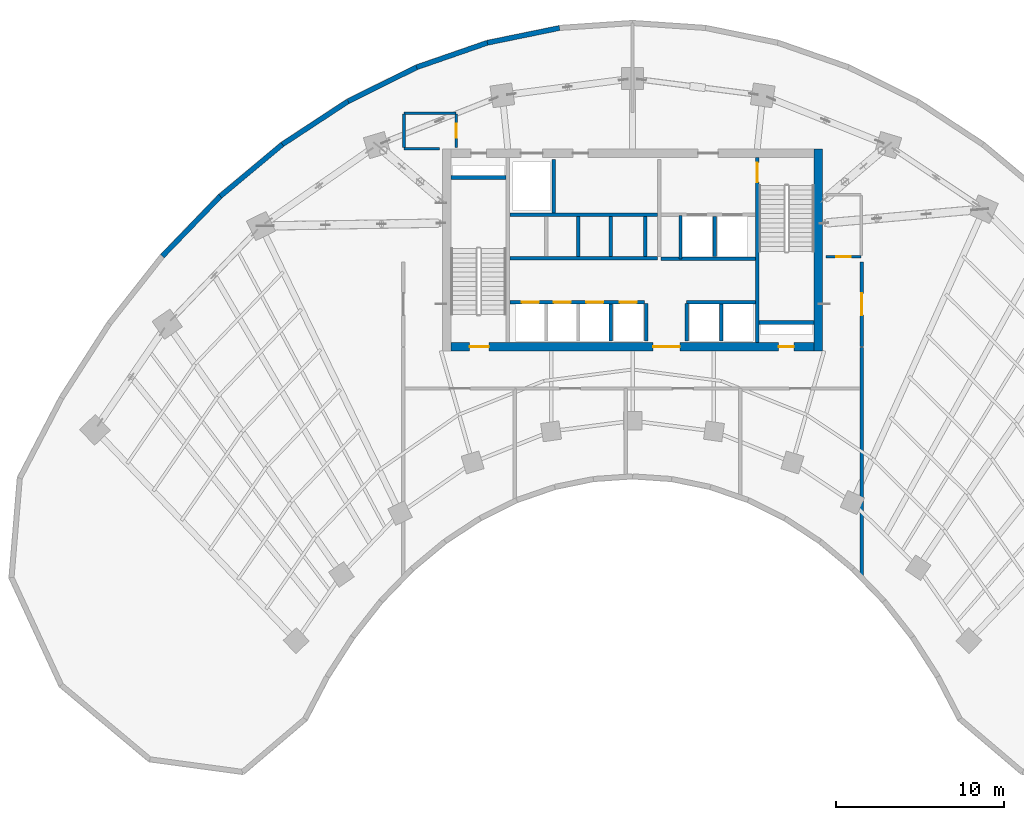
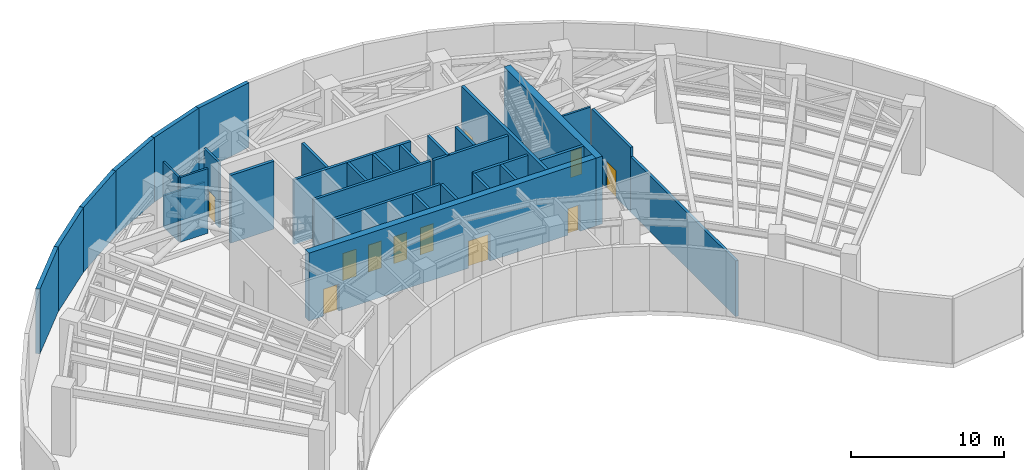
# One storey, part 8 of 10: 33 walls, 11 doors, 11 openings.
"""IFC4 building model written with IfcOpenShell, lengths in metres."""

from ifc_helpers import new_model, si_unit, direction, frame, frame_2d, origin, place, context, subcontext, project, spatial, rectangle, extrude, source, transform, mapped, material, layer, layer_set, type_object, type_shapes, element, fill, save


model = new_model("IFC4")

# Units and contexts
model_context = context("Model", 3, precision=1e-05, world=origin(), true_north=direction((0.0, 1.0)))
body_context = subcontext(model_context, "Body", "Model", "MODEL_VIEW")
ifc_project = project(units=[si_unit("LENGTHUNIT", "METRE"), si_unit("AREAUNIT", "SQUARE_METRE"), si_unit("VOLUMEUNIT", "CUBIC_METRE"), si_unit("PLANEANGLEUNIT", "RADIAN"), si_unit("MASSUNIT", "GRAM", prefix="KILO")], contexts=[model_context])

# Site, building, storey
site_placement = place(None, origin())
site = spatial("IfcSite", under=ifc_project, at=site_placement, CompositionType="ELEMENT")
building_placement = place(site_placement, origin())
building = spatial("IfcBuilding", under=site, at=building_placement, Name="Breltana Convention Tower", CompositionType="ELEMENT")
storey_placement = place(building_placement, frame((0.0, 0.0, 85.800048828125)))
storey = spatial("IfcBuildingStorey", under=building, at=storey_placement, Name="L20", CompositionType="ELEMENT", Elevation=85.800048828125)

# Walls
ifc_material_1 = material(Name="Concrete C50/60", Category="concrete")
ifc_layer_1 = layer(ifc_material_1, 0.39990234375, Name="Concrete C50/60")
ifc_layer_set_1 = layer_set([ifc_layer_1], Name="Concrete C50/60")
wall_type_1 = type_object("IfcWallType", Name="SW-CORE-400", PredefinedType="SHEAR", material=ifc_layer_set_1)
shared_shape_1 = source(origin(), body_context, "Body", "SweptSolid", [
    extrude(rectangle(XDim=3.27001953125, YDim=0.219970703125, at=frame_2d((1.635009765625, 0.0))), origin(), (0.0, 0.0, 1.0), 5.39990234375),
])
for number, where, z_axis, x_axis, name in (
    (1, (37.199951171875, 70.510009765625, 0.0), (0.0, 0.0, 1.0), (1.0, 0.0, 0.0), "L20 ST-1 Stairwell North Bearing Wall"),
    (2, (55.530029296875, 61.889892578125, 0.0), (0.0, 0.0, 1.0), (1.0, 0.0, 0.0), "L20 ST-2 Stairwell South Bearing Wall"),
):
    element("IfcWall", number, at=place(storey_placement, frame(where, z_axis=z_axis, x_axis=x_axis)), inside=storey, type_object=wall_type_1, Name=name, PredefinedType="SHEAR", context=body_context, shape_type="MappedRepresentation", body=[
        mapped(shared_shape_1, transform((0.0, 0.0, 0.0), scale=1.0)),
    ])
ifc_material_2 = material(Name="Concrete C60/75", Category="concrete")
ifc_layer_2 = layer(ifc_material_2, 0.5, Name="Concrete C60/75")
ifc_layer_set_2 = layer_set([ifc_layer_2], Name="Concrete C60/75")
wall_type_2 = type_object("IfcWallType", Name="SW-CORE-500", PredefinedType="SHEAR", material=ifc_layer_set_2)
shared_shape_2 = source(origin(), body_context, "Body", "SweptSolid", [
    extrude(rectangle(XDim=12.0, YDim=0.5, at=frame_2d((6.0, 0.0))), origin(), (0.0, 0.0, 1.0), 5.39990234375),
])
type_shapes(wall_type_2, [shared_shape_2])
wall_1_placement = place(storey_placement, frame((59.050048828125, 60.199951171875, 0.0), z_axis=(0.0, 0.0, 1.0), x_axis=(0.0, 1.0, 0.0)))
element("IfcWall", 3, at=wall_1_placement, inside=storey, type_object=wall_type_2, Name="L20 East Core Shear Wall", PredefinedType="SHEAR", context=body_context, shape_type="MappedRepresentation", body=[
    mapped(shared_shape_2, transform((0.0, 0.0, 0.0), scale=1.0)),
])

# Wall, openings, doors
shared_shape_3 = source(origin(), body_context, "Body", "SweptSolid", [
    extrude(rectangle(XDim=21.60009765625, YDim=0.5, at=frame_2d((10.800048828125, 0.0))), origin(), (0.0, 0.0, 1.0), 5.39990234375),
])
wall_2_placement = place(storey_placement, frame((37.199951171875, 60.449951171875, 0.0), z_axis=(0.0, 0.0, 1.0), x_axis=(1.0, 0.0, 0.0)))
wall_2 = element("IfcWall", 4, at=wall_2_placement, inside=storey, type_object=wall_type_2, Name="L20 South Core Shear Wall", PredefinedType="SHEAR", context=body_context, shape_type="MappedRepresentation", body=[
    mapped(shared_shape_3, transform((0.0, 0.0, 0.0), scale=1.0)),
])
opening_1_placement = place(wall_2_placement, frame((1.10009765625, 0.0, 0.0)))
opening_1 = element("IfcOpeningElement", 5, at=opening_1_placement, cuts=wall_2, Name="Opening D-11", PredefinedType="OPENING", context=body_context, shape_type="SweptSolid", body=[
    extrude(rectangle(XDim=1.14990234375, YDim=2.14990234375, at=frame_2d((0.574951171875, 1.074951171875))), frame((0.0, 0.260009765625, 0.0), z_axis=(0.0, -1.0, 0.0), x_axis=(1.0, 0.0, 0.0)), (0.0, 0.0, 1.0), 0.52001953125),
])
opening_2_placement = place(wall_2_placement, frame((19.5, 0.0, 0.0)))
opening_2 = element("IfcOpeningElement", 6, at=opening_2_placement, cuts=wall_2, Name="Opening D-18", PredefinedType="OPENING", context=body_context, shape_type="SweptSolid", body=[
    extrude(rectangle(XDim=0.89990234375, YDim=2.10009765625, at=frame_2d((0.449951171875, 1.050048828125))), frame((0.0, 0.260009765625, 0.0), z_axis=(0.0, -1.0, 0.0), x_axis=(1.0, 0.0, 0.0)), (0.0, 0.0, 1.0), 0.52001953125),
])
opening_3_placement = place(wall_2_placement, frame((12.02001953125, 0.0, 0.0)))
opening_3 = element("IfcOpeningElement", 7, at=opening_3_placement, cuts=wall_2, Name="Opening D-02", PredefinedType="OPENING", context=body_context, shape_type="SweptSolid", body=[
    extrude(rectangle(XDim=1.60009765625, YDim=2.14990234375, at=frame_2d((0.800048828125, 1.074951171875))), frame((0.0, 0.260009765625, 0.0), z_axis=(0.0, -1.0, 0.0), x_axis=(1.0, 0.0, 0.0)), (0.0, 0.0, 1.0), 0.52001953125),
])
ifc_material_3 = material(Name="Steel Stair Exit Door", Category="steel")
door_type_1 = type_object("IfcDoorType", Name="DR-FD120-1150", OperationType="NOTDEFINED", PredefinedType="DOOR", material=ifc_material_3)
shared_shape_4 = source(origin(), body_context, "Body", "SweptSolid", [
    extrude(rectangle(XDim=1.14990234375, YDim=2.14990234375, at=frame_2d((0.574951171875, 1.074951171875))), frame((0.0, 0.02490234375, 0.0), z_axis=(0.0, -1.0, 0.0), x_axis=(1.0, 0.0, 0.0)), (0.0, 0.0, 1.0), 0.050048828125),
])
type_shapes(door_type_1, [shared_shape_4])
door_1_placement = place(opening_1_placement, origin())
door_1 = element("IfcDoor", 8, at=door_1_placement, inside=storey, type_object=door_type_1, Name="L20 interior door D-L20-ST1", OperationType="SINGLE_SWING_LEFT", OverallHeight=2.14990234375, OverallWidth=1.14990234375, PredefinedType="DOOR", context=body_context, shape_type="MappedRepresentation", body=[
    mapped(shared_shape_4, transform((0.0, 0.0, 0.0), scale=1.0)),
])
fill(opening_1, door_1)
ifc_material_4 = material(Name="Steel Riser Fire Door", Category="steel")
door_type_2 = type_object("IfcDoorType", Name="DR-FD60-900", OperationType="NOTDEFINED", PredefinedType="DOOR", material=ifc_material_4)
shared_shape_5 = source(origin(), body_context, "Body", "SweptSolid", [
    extrude(rectangle(XDim=0.89990234375, YDim=2.10009765625, at=frame_2d((0.449951171875, 1.050048828125))), frame((0.0, 0.02490234375, 0.0), z_axis=(0.0, -1.0, 0.0), x_axis=(1.0, 0.0, 0.0)), (0.0, 0.0, 1.0), 0.050048828125),
])
type_shapes(door_type_2, [shared_shape_5])
door_2_placement = place(opening_2_placement, origin())
door_2 = element("IfcDoor", 9, at=door_2_placement, inside=storey, type_object=door_type_2, Name="L20 Core Riser Access Door D-L20-RS2", OperationType="SINGLE_SWING_RIGHT", OverallHeight=2.10009765625, OverallWidth=0.89990234375, PredefinedType="DOOR", context=body_context, shape_type="MappedRepresentation", body=[
    mapped(shared_shape_5, transform((0.0, 0.0, 0.0), scale=1.0)),
])
fill(opening_2, door_2)
ifc_material_5 = material(Name="Steel Glazed Smoke-Control Door", Category="steel")
door_type_3 = type_object("IfcDoorType", Name="DR-DBL-FD90-1600", OperationType="DOUBLE_DOOR_SINGLE_SWING", PredefinedType="DOOR", material=ifc_material_5)
shared_shape_6 = source(origin(), body_context, "Body", "SweptSolid", [
    extrude(rectangle(XDim=1.60009765625, YDim=2.14990234375, at=frame_2d((0.800048828125, 1.074951171875))), frame((0.0, 0.02490234375, 0.0), z_axis=(0.0, -1.0, 0.0), x_axis=(1.0, 0.0, 0.0)), (0.0, 0.0, 1.0), 0.050048828125),
])
type_shapes(door_type_3, [shared_shape_6])
door_3_placement = place(opening_3_placement, origin())
door_3 = element("IfcDoor", 10, at=door_3_placement, inside=storey, type_object=door_type_3, Name="L20 interior door D-L20-LLB-S", OperationType="DOUBLE_DOOR_SINGLE_SWING", OverallHeight=2.14990234375, OverallWidth=1.60009765625, PredefinedType="DOOR", context=body_context, shape_type="MappedRepresentation", body=[
    mapped(shared_shape_6, transform((0.0, 0.0, 0.0), scale=1.0)),
])
fill(opening_3, door_3)

# Wall, opening, door
shared_shape_7 = source(origin(), body_context, "Body", "SweptSolid", [
    extrude(rectangle(XDim=11.0, YDim=0.219970703125, at=frame_2d((5.5, 0.0))), origin(), (0.0, 0.0, 1.0), 5.39990234375),
])
wall_3_placement = place(storey_placement, frame((55.419921875, 60.699951171875, 0.0), z_axis=(0.0, 0.0, 1.0), x_axis=(0.0, 1.0, 0.0)))
wall_3 = element("IfcWall", 11, at=wall_3_placement, inside=storey, type_object=wall_type_1, Name="L20 Core East Stair Spine Wall", PredefinedType="SHEAR", context=body_context, shape_type="MappedRepresentation", body=[
    mapped(shared_shape_7, transform((0.0, 0.0, 0.0), scale=1.0)),
])
opening_4_placement = place(wall_3_placement, frame((9.544921875, 0.0, 0.0)))
opening_4 = element("IfcOpeningElement", 12, at=opening_4_placement, cuts=wall_3, Name="Opening D-11", PredefinedType="OPENING", context=body_context, shape_type="SweptSolid", body=[
    extrude(rectangle(XDim=1.14990234375, YDim=2.14990234375, at=frame_2d((0.574951171875, 1.074951171875))), frame((0.0, 0.1201171875, 0.0), z_axis=(0.0, -1.0, 0.0), x_axis=(1.0, 0.0, 0.0)), (0.0, 0.0, 1.0), 0.239990234375),
])
door_4_placement = place(opening_4_placement, origin())
door_4 = element("IfcDoor", 13, at=door_4_placement, inside=storey, type_object=door_type_1, Name="L20 interior door D-L20-ST2", OperationType="SINGLE_SWING_LEFT", OverallHeight=2.14990234375, OverallWidth=1.14990234375, PredefinedType="DOOR", context=body_context, shape_type="MappedRepresentation", body=[
    mapped(shared_shape_4, transform((0.0, 0.0, 0.0), scale=1.0)),
])
fill(opening_4, door_4)

# Walls
ifc_material_6 = material(Name="Limestone Buff Insulated Wall", Category="masonry")
ifc_layer_3 = layer(ifc_material_6, 0.300048828125, Name="Limestone Buff Insulated Wall")
ifc_layer_set_3 = layer_set([ifc_layer_3], Name="Limestone Buff Insulated Wall")
wall_type_3 = type_object("IfcWallType", Name="WL-EXT-CRN-300", PredefinedType="SOLIDWALL", material=ifc_layer_set_3)
shared_shape_8 = source(origin(), body_context, "Body", "SweptSolid", [
    extrude(rectangle(XDim=4.96044921875, YDim=0.300048828125, at=frame_2d((2.480224609375, 0.0))), origin(), (0.0, 0.0, 1.0), 5.14990234375),
])
wall_4_placement = place(storey_placement, frame((20.0224609375, 65.834228515625, 0.0), z_axis=(0.0, 0.0, 1.0), x_axis=(0.694619985705, 0.719376866086, 0.0)))
element("IfcWall", 14, at=wall_4_placement, inside=storey, type_object=wall_type_3, Name="L20 mechanical limestone enclosure wall 53", PredefinedType="SOLIDWALL", context=body_context, shape_type="MappedRepresentation", body=[
    mapped(shared_shape_8, transform((0.0, 0.0, 0.0), scale=1.0)),
])
shared_shape_9 = source(origin(), body_context, "Body", "SweptSolid", [
    extrude(rectangle(XDim=4.8125, YDim=0.300048828125, at=frame_2d((2.40625, 0.0))), origin(), (0.0, 0.0, 1.0), 5.14990234375),
])
wall_5_placement = place(storey_placement, frame((23.468017578125, 69.402587890625, 0.0), z_axis=(0.0, 0.0, 1.0), x_axis=(0.767925955959, 0.640538621915, 0.0)))
element("IfcWall", 15, at=wall_5_placement, inside=storey, type_object=wall_type_3, Name="L20 mechanical limestone enclosure wall 54", PredefinedType="SOLIDWALL", context=body_context, shape_type="MappedRepresentation", body=[
    mapped(shared_shape_9, transform((0.0, 0.0, 0.0), scale=1.0)),
])
shared_shape_10 = source(origin(), body_context, "Body", "SweptSolid", [
    extrude(rectangle(XDim=4.674560546875, YDim=0.300048828125, at=frame_2d((2.33740234375, 0.0))), origin(), (0.0, 0.0, 1.0), 5.14990234375),
])
wall_6_placement = place(storey_placement, frame((27.16357421875, 72.485107421875, 0.0), z_axis=(0.0, 0.0, 1.0), x_axis=(0.835950573043, 0.548804737069, 0.0)))
element("IfcWall", 16, at=wall_6_placement, inside=storey, type_object=wall_type_3, Name="L20 mechanical limestone enclosure wall 55", PredefinedType="SOLIDWALL", context=body_context, shape_type="MappedRepresentation", body=[
    mapped(shared_shape_10, transform((0.0, 0.0, 0.0), scale=1.0)),
])
shared_shape_11 = source(origin(), body_context, "Body", "SweptSolid", [
    extrude(rectangle(XDim=4.553466796875, YDim=0.300048828125, at=frame_2d((2.27685546875, 0.0))), origin(), (0.0, 0.0, 1.0), 5.14990234375),
])
wall_7_placement = place(storey_placement, frame((31.0712890625, 75.050537109375, 0.0), z_axis=(0.0, 0.0, 1.0), x_axis=(0.895976648497, 0.444101165669, 0.0)))
element("IfcWall", 17, at=wall_7_placement, inside=storey, type_object=wall_type_3, Name="L20 mechanical limestone enclosure wall 56", PredefinedType="SOLIDWALL", context=body_context, shape_type="MappedRepresentation", body=[
    mapped(shared_shape_11, transform((0.0, 0.0, 0.0), scale=1.0)),
])
shared_shape_12 = source(origin(), body_context, "Body", "SweptSolid", [
    extrude(rectangle(XDim=4.45556640625, YDim=0.300048828125, at=frame_2d((2.227783203125, 0.0))), origin(), (0.0, 0.0, 1.0), 5.14990234375),
])
wall_8_placement = place(storey_placement, frame((35.151123046875, 77.07275390625, 0.0), z_axis=(0.0, 0.0, 1.0), x_axis=(0.944868751989, 0.327449296097, 0.0)))
element("IfcWall", 18, at=wall_8_placement, inside=storey, type_object=wall_type_3, Name="L20 mechanical limestone enclosure wall 57", PredefinedType="SOLIDWALL", context=body_context, shape_type="MappedRepresentation", body=[
    mapped(shared_shape_12, transform((0.0, 0.0, 0.0), scale=1.0)),
])
shared_shape_13 = source(origin(), body_context, "Body", "SweptSolid", [
    extrude(rectangle(XDim=4.386962890625, YDim=0.300048828125, at=frame_2d((2.193359375, 0.0))), origin(), (0.0, 0.0, 1.0), 5.14990234375),
])
wall_9_placement = place(storey_placement, frame((39.361083984375, 78.53173828125, 0.0), z_axis=(0.0, 0.0, 1.0), x_axis=(0.979623200361, 0.200844181679, 0.0)))
element("IfcWall", 19, at=wall_9_placement, inside=storey, type_object=wall_type_3, Name="L20 mechanical limestone enclosure wall 58", PredefinedType="SOLIDWALL", context=body_context, shape_type="MappedRepresentation", body=[
    mapped(shared_shape_13, transform((0.0, 0.0, 0.0), scale=1.0)),
])
ifc_material_7 = material(Name="Autoclaved Aerated Concrete Block", Category="concrete")
ifc_layer_4 = layer(ifc_material_7, 0.199951171875, Name="Autoclaved Aerated Concrete Block")
ifc_layer_set_4 = layer_set([ifc_layer_4], Name="Autoclaved Aerated Concrete Block")
wall_type_4 = type_object("IfcWallType", Name="WL-SHAFT-200", PredefinedType="SOLIDWALL", material=ifc_layer_set_4)
shared_shape_14 = source(origin(), body_context, "Body", "SweptSolid", [
    extrude(rectangle(XDim=2.239990234375, YDim=0.199951171875, at=frame_2d((1.1201171875, 0.0))), origin(), (0.0, 0.0, 1.0), 5.14990234375),
])
for number, where, z_axis, x_axis, name in (
    (20, (48.820068359375, 60.780029296875, 0.0), (0.0, 0.0, 1.0), (0.0, 1.0, 0.0), "L20 interior partition W-L20-PORT-W"),
    (21, (51.219970703125, 60.780029296875, 0.0), (0.0, 0.0, 1.0), (0.0, 1.0, 0.0), "L20 interior partition W-L20-PORT-E"),
):
    element("IfcWall", number, at=place(storey_placement, frame(where, z_axis=z_axis, x_axis=x_axis)), inside=storey, type_object=wall_type_4, Name=name, PredefinedType="SOLIDWALL", context=body_context, shape_type="MappedRepresentation", body=[
        mapped(shared_shape_14, transform((0.0, 0.0, 0.0), scale=1.0)),
    ])
shared_shape_15 = source(origin(), body_context, "Body", "SweptSolid", [
    extrude(rectangle(XDim=5.6201171875, YDim=0.199951171875, at=frame_2d((2.81005859375, 0.0))), origin(), (0.0, 0.0, 1.0), 5.14990234375),
])
wall_10_placement = place(storey_placement, frame((49.699951171875, 65.679931640625, 0.0), z_axis=(0.0, 0.0, 1.0), x_axis=(1.0, 0.0, 0.0)))
element("IfcWall", 22, at=wall_10_placement, inside=storey, type_object=wall_type_4, Name="L20 interior partition W-L20-FL-S", PredefinedType="SOLIDWALL", context=body_context, shape_type="MappedRepresentation", body=[
    mapped(shared_shape_15, transform((0.0, 0.0, 0.0), scale=1.0)),
])
shared_shape_16 = source(origin(), body_context, "Body", "SweptSolid", [
    extrude(rectangle(XDim=2.580078125, YDim=0.199951171875, at=frame_2d((1.2900390625, 0.0))), origin(), (0.0, 0.0, 1.0), 5.14990234375),
])
wall_11_placement = place(storey_placement, frame((50.85009765625, 65.679931640625, 0.0), z_axis=(0.0, 0.0, 1.0), x_axis=(0.0, 1.0, 0.0)))
element("IfcWall", 23, at=wall_11_placement, inside=storey, type_object=wall_type_4, Name="L20 interior partition W-L20-FL-W", PredefinedType="SOLIDWALL", context=body_context, shape_type="MappedRepresentation", body=[
    mapped(shared_shape_16, transform((0.0, 0.0, 0.0), scale=1.0)),
])
shared_shape_17 = source(origin(), body_context, "Body", "SweptSolid", [
    extrude(rectangle(XDim=2.39990234375, YDim=0.199951171875, at=frame_2d((1.199951171875, 0.0))), origin(), (0.0, 0.0, 1.0), 5.14990234375),
])
for number, where, z_axis, x_axis, name in (
    (24, (52.89990234375, 65.800048828125, 0.0), (0.0, 0.0, 1.0), (0.0, 1.0, 0.0), "L20 interior partition W-L20-FL-DIV"),
    (25, (48.75, 65.800048828125, 0.0), (0.0, 0.0, 1.0), (0.0, 1.0, 0.0), "L20 interior partition W-L20-SH-M-END"),
    (26, (44.77001953125, 65.800048828125, 0.0), (0.0, 0.0, 1.0), (0.0, 1.0, 0.0), "L20 interior partition W-L20-SH-M-DIV2"),
    (27, (46.699951171875, 65.800048828125, 0.0), (0.0, 0.0, 1.0), (0.0, 1.0, 0.0), "L20 interior partition W-L20-SH-M-DIV3"),
):
    element("IfcWall", number, at=place(storey_placement, frame(where, z_axis=z_axis, x_axis=x_axis)), inside=storey, type_object=wall_type_4, Name=name, PredefinedType="SOLIDWALL", context=body_context, shape_type="MappedRepresentation", body=[
        mapped(shared_shape_17, transform((0.0, 0.0, 0.0), scale=1.0)),
    ])
shared_shape_18 = source(origin(), body_context, "Body", "SweptSolid", [
    extrude(rectangle(XDim=3.2001953125, YDim=0.199951171875, at=frame_2d((1.60009765625, 0.0))), origin(), (0.0, 0.0, 1.0), 5.14990234375),
])
wall_12_placement = place(storey_placement, frame((43.320068359375, 68.39990234375, 0.0), z_axis=(0.0, 0.0, 1.0), x_axis=(0.0, 1.0, 0.0)))
element("IfcWall", 28, at=wall_12_placement, inside=storey, type_object=wall_type_4, Name="L20 interior partition W-L20-SV-E", PredefinedType="SOLIDWALL", context=body_context, shape_type="MappedRepresentation", body=[
    mapped(shared_shape_18, transform((0.0, 0.0, 0.0), scale=1.0)),
])
shared_shape_19 = source(origin(), body_context, "Body", "SweptSolid", [
    extrude(rectangle(XDim=8.800048828125, YDim=0.199951171875, at=frame_2d((4.39990234375, 0.0))), origin(), (0.0, 0.0, 1.0), 5.14990234375),
])
for number, where, z_axis, x_axis, name in (
    (29, (40.699951171875, 68.300048828125, 0.0), (0.0, 0.0, 1.0), (1.0, 0.0, 0.0), "L20 interior partition W-L20-SV-S"),
    (30, (40.699951171875, 65.699951171875, 0.0), (0.0, 0.0, 1.0), (1.0, 0.0, 0.0), "L20 interior partition W-L20-SH-M-FRONT"),
):
    element("IfcWall", number, at=place(storey_placement, frame(where, z_axis=z_axis, x_axis=x_axis)), inside=storey, type_object=wall_type_4, Name=name, PredefinedType="SOLIDWALL", context=body_context, shape_type="MappedRepresentation", body=[
        mapped(shared_shape_19, transform((0.0, 0.0, 0.0), scale=1.0)),
    ])

# Wall, openings, doors
shared_shape_20 = source(origin(), body_context, "Body", "SweptSolid", [
    extrude(rectangle(XDim=8.02001953125, YDim=0.199951171875, at=frame_2d((4.010009765625, 0.0))), origin(), (0.0, 0.0, 1.0), 5.14990234375),
])
wall_13_placement = place(storey_placement, frame((40.699951171875, 63.10009765625, 0.0), z_axis=(0.0, 0.0, 1.0), x_axis=(1.0, 0.0, 0.0)))
wall_13 = element("IfcWall", 31, at=wall_13_placement, inside=storey, type_object=wall_type_4, Name="L20 interior partition W-L20-SH-S-FRONT", PredefinedType="SOLIDWALL", context=body_context, shape_type="MappedRepresentation", body=[
    mapped(shared_shape_20, transform((0.0, 0.0, 0.0), scale=1.0)),
])
opening_5_placement = place(wall_13_placement, frame((0.719970703125, 0.0, 0.0)))
opening_5 = element("IfcOpeningElement", 32, at=opening_5_placement, cuts=wall_13, Name="Opening LD-04", PredefinedType="OPENING", context=body_context, shape_type="SweptSolid", body=[
    extrude(rectangle(XDim=1.0, YDim=2.14990234375, at=frame_2d((0.5, 1.074951171875))), frame((0.0, 0.10986328125, 0.0), z_axis=(0.0, -1.0, 0.0), x_axis=(1.0, 0.0, 0.0)), (0.0, 0.0, 1.0), 0.219970703125),
])
opening_6_placement = place(wall_13_placement, frame((2.6201171875, 0.0, 0.0)))
opening_6 = element("IfcOpeningElement", 33, at=opening_6_placement, cuts=wall_13, Name="Opening LD-04", PredefinedType="OPENING", context=body_context, shape_type="SweptSolid", body=[
    extrude(rectangle(XDim=1.0, YDim=2.14990234375, at=frame_2d((0.5, 1.074951171875))), frame((0.0, 0.10986328125, 0.0), z_axis=(0.0, -1.0, 0.0), x_axis=(1.0, 0.0, 0.0)), (0.0, 0.0, 1.0), 0.219970703125),
])
opening_7_placement = place(wall_13_placement, frame((4.550048828125, 0.0, 0.0)))
opening_7 = element("IfcOpeningElement", 34, at=opening_7_placement, cuts=wall_13, Name="Opening LD-04", PredefinedType="OPENING", context=body_context, shape_type="SweptSolid", body=[
    extrude(rectangle(XDim=1.0, YDim=2.14990234375, at=frame_2d((0.5, 1.074951171875))), frame((0.0, 0.10986328125, 0.0), z_axis=(0.0, -1.0, 0.0), x_axis=(1.0, 0.0, 0.0)), (0.0, 0.0, 1.0), 0.219970703125),
])
opening_8_placement = place(wall_13_placement, frame((6.550048828125, 0.0, 0.0)))
opening_8 = element("IfcOpeningElement", 35, at=opening_8_placement, cuts=wall_13, Name="Opening LD-04", PredefinedType="OPENING", context=body_context, shape_type="SweptSolid", body=[
    extrude(rectangle(XDim=1.0, YDim=2.14990234375, at=frame_2d((0.5, 1.074951171875))), frame((0.0, 0.10986328125, 0.0), z_axis=(0.0, -1.0, 0.0), x_axis=(1.0, 0.0, 0.0)), (0.0, 0.0, 1.0), 0.219970703125),
])
ifc_material_8 = material(Name="Stainless Steel Brushed", Category="steel")
door_type_4 = type_object("IfcDoorType", Name="DR-LD-PAX-1000", OperationType="DOUBLE_DOOR_SLIDING", PredefinedType="DOOR", material=ifc_material_8)
shared_shape_21 = source(origin(), body_context, "Body", "SweptSolid", [
    extrude(rectangle(XDim=1.0, YDim=2.14990234375, at=frame_2d((0.5, 1.074951171875))), frame((0.0, 0.02490234375, 0.0), z_axis=(0.0, -1.0, 0.0), x_axis=(1.0, 0.0, 0.0)), (0.0, 0.0, 1.0), 0.050048828125),
])
type_shapes(door_type_4, [shared_shape_21])
door_5_placement = place(opening_5_placement, origin())
door_5 = element("IfcDoor", 36, at=door_5_placement, inside=storey, type_object=door_type_4, Name="L20 Lift Landing Door D-L20-LD-S1", OperationType="DOUBLE_DOOR_SLIDING", OverallHeight=2.14990234375, OverallWidth=1.0, PredefinedType="DOOR", context=body_context, shape_type="MappedRepresentation", body=[
    mapped(shared_shape_21, transform((0.0, 0.0, 0.0), scale=1.0)),
])
fill(opening_5, door_5)
door_6_placement = place(opening_6_placement, origin())
door_6 = element("IfcDoor", 37, at=door_6_placement, inside=storey, type_object=door_type_4, Name="L20 Lift Landing Door D-L20-LD-S2", OperationType="DOUBLE_DOOR_SLIDING", OverallHeight=2.14990234375, OverallWidth=1.0, PredefinedType="DOOR", context=body_context, shape_type="MappedRepresentation", body=[
    mapped(shared_shape_21, transform((0.0, 0.0, 0.0), scale=1.0)),
])
fill(opening_6, door_6)
door_7_placement = place(opening_7_placement, origin())
door_7 = element("IfcDoor", 38, at=door_7_placement, inside=storey, type_object=door_type_4, Name="L20 Lift Landing Door D-L20-LD-S3", OperationType="DOUBLE_DOOR_SLIDING", OverallHeight=2.14990234375, OverallWidth=1.0, PredefinedType="DOOR", context=body_context, shape_type="MappedRepresentation", body=[
    mapped(shared_shape_21, transform((0.0, 0.0, 0.0), scale=1.0)),
])
fill(opening_7, door_7)
door_8_placement = place(opening_8_placement, origin())
door_8 = element("IfcDoor", 39, at=door_8_placement, inside=storey, type_object=door_type_4, Name="L20 Lift Landing Door D-L20-LD-S4", OperationType="DOUBLE_DOOR_SLIDING", OverallHeight=2.14990234375, OverallWidth=1.0, PredefinedType="DOOR", context=body_context, shape_type="MappedRepresentation", body=[
    mapped(shared_shape_21, transform((0.0, 0.0, 0.0), scale=1.0)),
])
fill(opening_8, door_8)

# Walls
shared_shape_22 = source(origin(), body_context, "Body", "SweptSolid", [
    extrude(rectangle(XDim=4.10009765625, YDim=0.199951171875, at=frame_2d((2.050048828125, 0.0))), origin(), (0.0, 0.0, 1.0), 5.14990234375),
])
wall_14_placement = place(storey_placement, frame((51.219970703125, 63.10009765625, 0.0), z_axis=(0.0, 0.0, 1.0), x_axis=(1.0, 0.0, 0.0)))
element("IfcWall", 40, at=wall_14_placement, inside=storey, type_object=wall_type_4, Name="L20 interior partition W-L20-SH-X-FRONT", PredefinedType="SOLIDWALL", context=body_context, shape_type="MappedRepresentation", body=[
    mapped(shared_shape_22, transform((0.0, 0.0, 0.0), scale=1.0)),
])
shared_shape_23 = source(origin(), body_context, "Body", "SweptSolid", [
    extrude(rectangle(XDim=2.199951171875, YDim=0.199951171875, at=frame_2d((1.10009765625, 0.0))), origin(), (0.0, 0.0, 1.0), 5.14990234375),
])
for number, where, z_axis, x_axis, name in (
    (41, (46.699951171875, 60.800048828125, 0.0), (0.0, 0.0, 1.0), (0.0, 1.0, 0.0), "L20 interior partition W-L20-SH-S-DIV3"),
    (42, (53.280029296875, 60.800048828125, 0.0), (0.0, 0.0, 1.0), (0.0, 1.0, 0.0), "L20 interior partition W-L20-SH-X-DIV"),
):
    element("IfcWall", number, at=place(storey_placement, frame(where, z_axis=z_axis, x_axis=x_axis)), inside=storey, type_object=wall_type_4, Name=name, PredefinedType="SOLIDWALL", context=body_context, shape_type="MappedRepresentation", body=[
        mapped(shared_shape_23, transform((0.0, 0.0, 0.0), scale=1.0)),
    ])
ifc_material_9 = material(Name="Gypsum Acoustic Drywall Partition")
ifc_layer_5 = layer(ifc_material_9, 0.14990234375, Name="Gypsum Acoustic Drywall Partition")
ifc_layer_set_5 = layer_set([ifc_layer_5], Name="Gypsum Acoustic Drywall Partition")
wall_type_5 = type_object("IfcWallType", Name="WL-PART-150", PredefinedType="PARTITIONING", material=ifc_layer_set_5)
shared_shape_24 = source(origin(), body_context, "Body", "SweptSolid", [
    extrude(rectangle(XDim=2.10009765625, YDim=0.14990234375, at=frame_2d((1.050048828125, 0.0))), origin(), (0.0, 0.0, 1.0), 5.14990234375),
])
wall_15_placement = place(storey_placement, frame((34.39990234375, 72.219970703125, 0.0), z_axis=(0.0, 0.0, 1.0), x_axis=(1.0, 0.0, 0.0)))
element("IfcWall", 43, at=wall_15_placement, inside=storey, type_object=wall_type_5, Name="L20 interior partition W-L20-CRNE-S", PredefinedType="PARTITIONING", context=body_context, shape_type="MappedRepresentation", body=[
    mapped(shared_shape_24, transform((0.0, 0.0, 0.0), scale=1.0)),
])

# Wall, opening, door
wall_16_placement = place(storey_placement, frame((59.5, 65.800048828125, 0.0), z_axis=(0.0, 0.0, 1.0), x_axis=(1.0, 0.0, 0.0)))
wall_16 = element("IfcWall", 44, at=wall_16_placement, inside=storey, type_object=wall_type_5, Name="L20 interior partition W-L20-CRSE-S", PredefinedType="PARTITIONING", context=body_context, shape_type="MappedRepresentation", body=[
    mapped(shared_shape_24, transform((0.0, 0.0, 0.0), scale=1.0)),
])
opening_9_placement = place(wall_16_placement, frame((0.625, 0.0, 0.0)))
opening_9 = element("IfcOpeningElement", 45, at=opening_9_placement, cuts=wall_16, Name="Opening D-20", PredefinedType="OPENING", context=body_context, shape_type="SweptSolid", body=[
    extrude(rectangle(XDim=0.85009765625, YDim=2.10009765625, at=frame_2d((0.425048828125, 1.050048828125))), frame((0.0, 0.0849609375, 0.0), z_axis=(0.0, -1.0, 0.0), x_axis=(1.0, 0.0, 0.0)), (0.0, 0.0, 1.0), 0.169921875),
])
ifc_material_10 = material(Name="Steel Closet Fire Door", Category="steel")
door_type_5 = type_object("IfcDoorType", Name="DR-FD60-850", OperationType="NOTDEFINED", PredefinedType="DOOR", material=ifc_material_10)
shared_shape_25 = source(origin(), body_context, "Body", "SweptSolid", [
    extrude(rectangle(XDim=0.85009765625, YDim=2.10009765625, at=frame_2d((0.425048828125, 1.050048828125))), frame((0.0, 0.02490234375, 0.0), z_axis=(0.0, -1.0, 0.0), x_axis=(1.0, 0.0, 0.0)), (0.0, 0.0, 1.0), 0.050048828125),
])
type_shapes(door_type_5, [shared_shape_25])
door_9_placement = place(opening_9_placement, origin())
door_9 = element("IfcDoor", 46, at=door_9_placement, inside=storey, type_object=door_type_5, Name="L20 interior door D-L20-CRSE", OperationType="SINGLE_SWING_RIGHT", OverallHeight=2.10009765625, OverallWidth=0.85009765625, PredefinedType="DOOR", context=body_context, shape_type="MappedRepresentation", body=[
    mapped(shared_shape_25, transform((0.0, 0.0, 0.0), scale=1.0)),
])
fill(opening_9, door_9)

# Walls
shared_shape_26 = source(origin(), body_context, "Body", "SweptSolid", [
    extrude(rectangle(XDim=3.10009765625, YDim=0.14990234375, at=frame_2d((1.550048828125, 0.0))), origin(), (0.0, 0.0, 1.0), 2.424560546875),
])
wall_17_placement = place(storey_placement, frame((34.39990234375, 74.35009765625, 0.0), z_axis=(0.0, 0.0, 1.0), x_axis=(1.0, 0.0, 0.0)))
element("IfcWall", 47, at=wall_17_placement, inside=storey, type_object=wall_type_5, Name="L20 interior partition W-L20-CRNE-N", PredefinedType="PARTITIONING", context=body_context, shape_type="MappedRepresentation", body=[
    mapped(shared_shape_26, transform((0.0, 0.0, 0.0), scale=1.0)),
])
shared_shape_27 = source(origin(), body_context, "Body", "SweptSolid", [
    extrude(rectangle(XDim=1.994873046875, YDim=0.14990234375, at=frame_2d((0.99755859375, 0.0))), origin(), (0.0, 0.0, 1.0), 5.14990234375),
])
wall_18_placement = place(storey_placement, frame((34.39990234375, 72.28759765625, 0.0), z_axis=(0.0, 0.0, 1.0), x_axis=(0.0, 1.0, 0.0)))
element("IfcWall", 48, at=wall_18_placement, inside=storey, type_object=wall_type_5, Name="L20 interior partition W-L20-CRNE-W", PredefinedType="PARTITIONING", context=body_context, shape_type="MappedRepresentation", body=[
    mapped(shared_shape_27, transform((0.0, 0.0, 0.0), scale=1.0)),
])

# Wall, opening, door
shared_shape_28 = source(origin(), body_context, "Body", "SweptSolid", [
    extrude(rectangle(XDim=1.982421875, YDim=0.14990234375, at=frame_2d((0.9912109375, 0.0))), origin(), (0.0, 0.0, 1.0), 5.14990234375),
])
wall_19_placement = place(storey_placement, frame((37.5, 72.300048828125, 0.0), z_axis=(0.0, 0.0, 1.0), x_axis=(0.0, 1.0, 0.0)))
wall_19 = element("IfcWall", 49, at=wall_19_placement, inside=storey, type_object=wall_type_5, Name="L20 interior partition W-L20-CRNE-E", PredefinedType="PARTITIONING", context=body_context, shape_type="MappedRepresentation", body=[
    mapped(shared_shape_28, transform((0.0, 0.0, 0.0), scale=1.0)),
])
opening_10_placement = place(wall_19_placement, frame((0.56640625, 0.0, 0.0)))
opening_10 = element("IfcOpeningElement", 50, at=opening_10_placement, cuts=wall_19, Name="Opening D-20", PredefinedType="OPENING", context=body_context, shape_type="SweptSolid", body=[
    extrude(rectangle(XDim=0.85009765625, YDim=2.10009765625, at=frame_2d((0.425048828125, 1.050048828125))), frame((0.0, 0.0849609375, 0.0), z_axis=(0.0, -1.0, 0.0), x_axis=(1.0, 0.0, 0.0)), (0.0, 0.0, 1.0), 0.169921875),
])
door_10_placement = place(opening_10_placement, origin())
door_10 = element("IfcDoor", 51, at=door_10_placement, inside=storey, type_object=door_type_5, Name="L20 interior door D-L20-CRNE", OperationType="SINGLE_SWING_LEFT", OverallHeight=2.10009765625, OverallWidth=0.85009765625, PredefinedType="DOOR", context=body_context, shape_type="MappedRepresentation", body=[
    mapped(shared_shape_25, transform((0.0, 0.0, 0.0), scale=1.0)),
])
fill(opening_10, door_10)

shared_shape_29 = source(origin(), body_context, "Body", "SweptSolid", [
    extrude(rectangle(XDim=5.050048828125, YDim=0.199951171875, at=frame_2d((2.52490234375, 0.0))), origin(), (0.0, 0.0, 1.0), 5.14990234375),
])
wall_20_placement = place(storey_placement, frame((61.639892578125, 60.449951171875, 0.0), z_axis=(0.0, 0.0, 1.0), x_axis=(0.0, 1.0, 0.0)))
wall_20 = element("IfcWall", 52, at=wall_20_placement, inside=storey, type_object=wall_type_4, Name="L20 interior partition W-L20-REFE-D", PredefinedType="SOLIDWALL", context=body_context, shape_type="MappedRepresentation", body=[
    mapped(shared_shape_29, transform((0.0, 0.0, 0.0), scale=1.0)),
])
opening_11_placement = place(wall_20_placement, frame((1.875, 0.0, 0.0)))
opening_11 = element("IfcOpeningElement", 53, at=opening_11_placement, cuts=wall_20, Name="Opening D-08", PredefinedType="OPENING", context=body_context, shape_type="SweptSolid", body=[
    extrude(rectangle(XDim=1.300048828125, YDim=2.14990234375, at=frame_2d((0.64990234375, 1.074951171875))), frame((0.0, 0.10986328125, 0.0), z_axis=(0.0, -1.0, 0.0), x_axis=(1.0, 0.0, 0.0)), (0.0, 0.0, 1.0), 0.219970703125),
])
ifc_material_11 = material(Name="Steel Fire Exit Door", Category="steel")
door_type_6 = type_object("IfcDoorType", Name="DR-FD120-1300", OperationType="NOTDEFINED", PredefinedType="DOOR", material=ifc_material_11)
shared_shape_30 = source(origin(), body_context, "Body", "SweptSolid", [
    extrude(rectangle(XDim=1.300048828125, YDim=2.14990234375, at=frame_2d((0.64990234375, 1.074951171875))), frame((0.0, 0.02490234375, 0.0), z_axis=(0.0, -1.0, 0.0), x_axis=(1.0, 0.0, 0.0)), (0.0, 0.0, 1.0), 0.050048828125),
])
type_shapes(door_type_6, [shared_shape_30])
door_11_placement = place(opening_11_placement, origin())
door_11 = element("IfcDoor", 54, at=door_11_placement, inside=storey, type_object=door_type_6, Name="L20 interior door D-L20-REFE", OperationType="SINGLE_SWING_RIGHT", OverallHeight=2.14990234375, OverallWidth=1.300048828125, PredefinedType="DOOR", context=body_context, shape_type="MappedRepresentation", body=[
    mapped(shared_shape_30, transform((0.0, 0.0, 0.0), scale=1.0)),
])
fill(opening_11, door_11)

# Wall
shared_shape_31 = source(origin(), body_context, "Body", "SweptSolid", [
    extrude(rectangle(XDim=13.688720703125, YDim=0.199951171875, at=frame_2d((6.84423828125, 0.0))), origin(), (0.0, 0.0, 1.0), 4.433837890625),
])
wall_21_placement = place(storey_placement, frame((61.639892578125, 46.711181640625, 0.0), z_axis=(0.0, 0.0, 1.0), x_axis=(0.0, 1.0, 0.0)))
element("IfcWall", 55, at=wall_21_placement, inside=storey, type_object=wall_type_4, Name="L20 interior partition W-L20-REFE-S", PredefinedType="SOLIDWALL", context=body_context, shape_type="MappedRepresentation", body=[
    mapped(shared_shape_31, transform((0.0, 0.0, 0.0), scale=1.0)),
])

save(model, "model.ifc")
